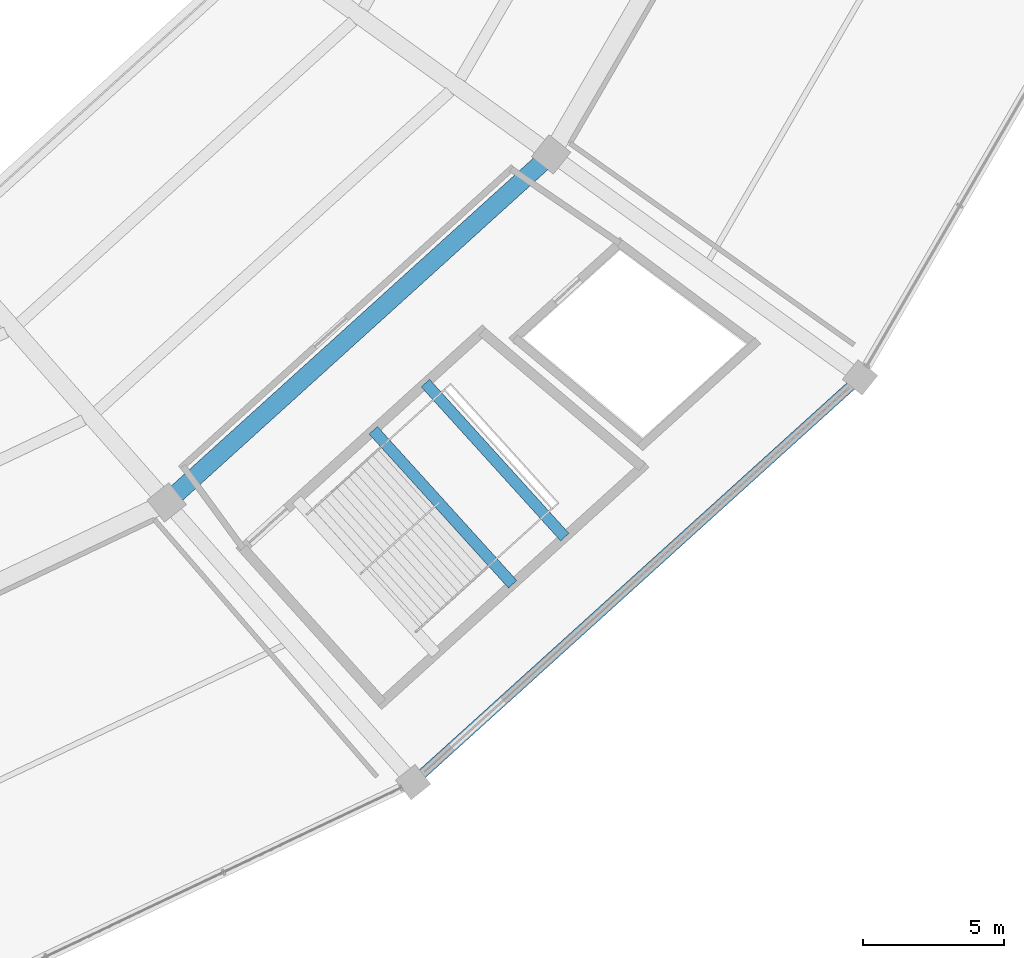
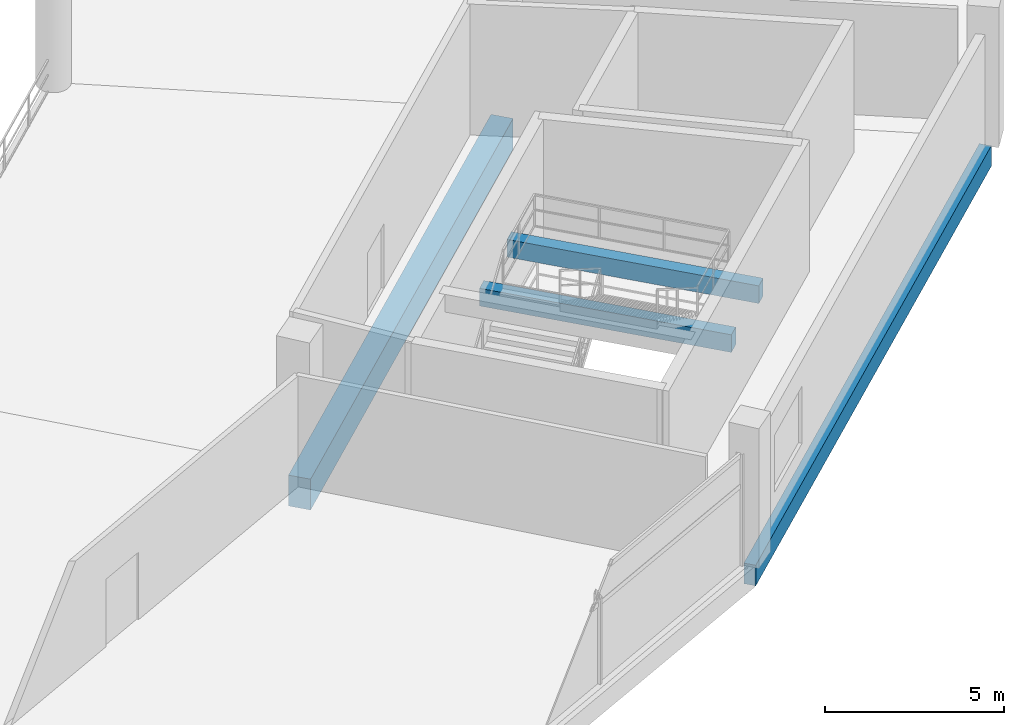
# One storey, part 58 of 171: 4 beams.
"""IFC4 building model written with IfcOpenShell, lengths in metres."""

from ifc_helpers import new_model, si_unit, direction, frame, origin, origin_2d, place, context, subcontext, project, spatial, rectangle, extrude, material, material_profile, profile_set, type_object, element, save


model = new_model("IFC4")

# Units and contexts
model_context = context("Model", 3, precision=1e-05, world=origin(), true_north=direction((0.0, 1.0)))
body_context = subcontext(model_context, "Body", "Model", "MODEL_VIEW")
ifc_project = project(units=[si_unit("LENGTHUNIT", "METRE"), si_unit("AREAUNIT", "SQUARE_METRE"), si_unit("VOLUMEUNIT", "CUBIC_METRE"), si_unit("PLANEANGLEUNIT", "RADIAN"), si_unit("MASSUNIT", "GRAM", prefix="KILO")], contexts=[model_context])

# Site, building, storey
site_placement = place(None, origin())
site = spatial("IfcSite", under=ifc_project, at=site_placement, CompositionType="ELEMENT")
building_placement = place(site_placement, origin())
building = spatial("IfcBuilding", under=site, at=building_placement, Name="Kazemori Nagisa Stadium", CompositionType="ELEMENT")
storey_placement = place(building_placement, frame((0.0, 0.0, 15.639892578125)))
storey = spatial("IfcBuildingStorey", under=building, at=storey_placement, Name="L03", CompositionType="ELEMENT", Elevation=15.639892578125)

# Beams
ifc_material = material(Name="Concrete C40/50 (Fc42)", Category="concrete")
ifc_material_profile_1 = material_profile(ifc_material, rectangle(XDim=0.39990234375, YDim=0.60009765625, at=origin_2d()), Name="RC-BM-400x600")
ifc_profile_set_1 = profile_set([ifc_material_profile_1], Name="Concrete C40/50 (Fc42)")
beam_type_1 = type_object("IfcBeamType", Name="Beam_BG-LND400X600", PredefinedType="BEAM", material=ifc_profile_set_1)
beam_1_placement = place(storey_placement, frame((184.181396484375, 43.452880859375, 1.880126953125), z_axis=(0.671129682405, -0.741339968837, 0.0), x_axis=(0.741339968837, 0.671129682405, 0.0)))
element("IfcBeam", 1, at=beam_1_placement, inside=storey, type_object=beam_type_1, Name="Core stair mid-landing girder ST04-L03-1", PredefinedType="BEAM", context=body_context, shape_type="SweptSolid", body=[
    extrude(rectangle(XDim=0.39990234375, YDim=0.60009765625, at=origin_2d()), origin(), (0.0, 0.0, 1.0), 7.3857421875),
])
beam_2_placement = place(storey_placement, frame((186.03466796875, 45.130859375, 1.880126953125), z_axis=(0.671113236271, -0.74135485707, 0.0), x_axis=(0.74135485707, 0.671113236271, 0.0)))
element("IfcBeam", 2, at=beam_2_placement, inside=storey, type_object=beam_type_1, Name="Core stair mid-landing girder ST04-L03-2", PredefinedType="BEAM", context=body_context, shape_type="SweptSolid", body=[
    extrude(rectangle(XDim=0.39990234375, YDim=0.60009765625, at=origin_2d()), origin(), (0.0, 0.0, 1.0), 7.385986328125),
])
ifc_material_profile_2 = material_profile(ifc_material, rectangle(XDim=0.64990234375, YDim=1.050048828125, at=origin_2d()), Name="RC-BM-650x1050")
ifc_profile_set_2 = profile_set([ifc_material_profile_2], Name="Concrete C40/50 (Fc42)")
beam_type_2 = type_object("IfcBeamType", Name="Beam_BG-RC650X1050", PredefinedType="BEAM", material=ifc_profile_set_2)
beam_3_placement = place(storey_placement, frame((176.834228515625, 40.88916015625, -0.784912109375), z_axis=(0.741349142139, 0.671119549298, 0.0), x_axis=(-0.671119549298, 0.741349142139, 0.0)))
element("IfcBeam", 3, at=beam_3_placement, inside=storey, type_object=beam_type_2, Name="Ring girder BG-RC650X1050 L03 R2-25", PredefinedType="BEAM", context=body_context, shape_type="SweptSolid", body=[
    extrude(rectangle(XDim=0.64990234375, YDim=1.050048828125, at=origin_2d()), origin(), (0.0, 0.0, 1.0), 18.44189453125),
])
ifc_material_profile_3 = material_profile(ifc_material, rectangle(XDim=0.35009765625, YDim=0.699951171875, at=origin_2d()), Name="RC-SP-350x700")
ifc_profile_set_3 = profile_set([ifc_material_profile_3], Name="Concrete C40/50 (Fc42)")
beam_type_3 = type_object("IfcBeamType", Name="Beam_BS-RC350X700", PredefinedType="SPANDREL", material=ifc_profile_set_3)
beam_4_placement = place(storey_placement, frame((185.597900390625, 30.94091796875, -0.60986328125), z_axis=(0.741351531326, 0.671116910084, 0.0), x_axis=(-0.671116910084, 0.741351531326, 0.0)))
element("IfcBeam", 4, at=beam_4_placement, inside=storey, type_object=beam_type_3, Name="Ring girder BS-RC350X700 L03 R3-25", PredefinedType="SPANDREL", context=body_context, shape_type="SweptSolid", body=[
    extrude(rectangle(XDim=0.35009765625, YDim=0.699951171875, at=origin_2d()), origin(), (0.0, 0.0, 1.0), 21.44384765625),
])

save(model, "model.ifc")
